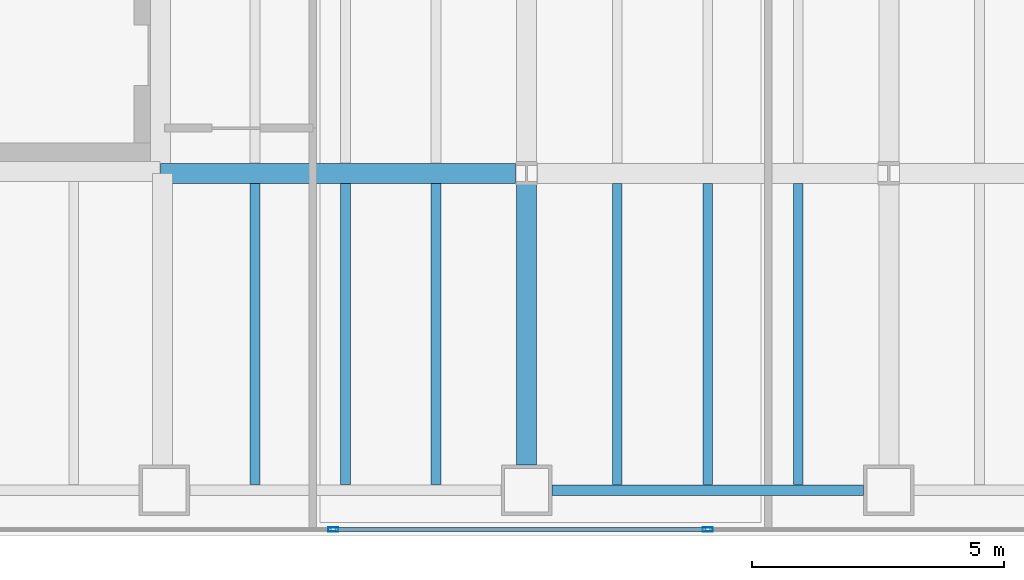
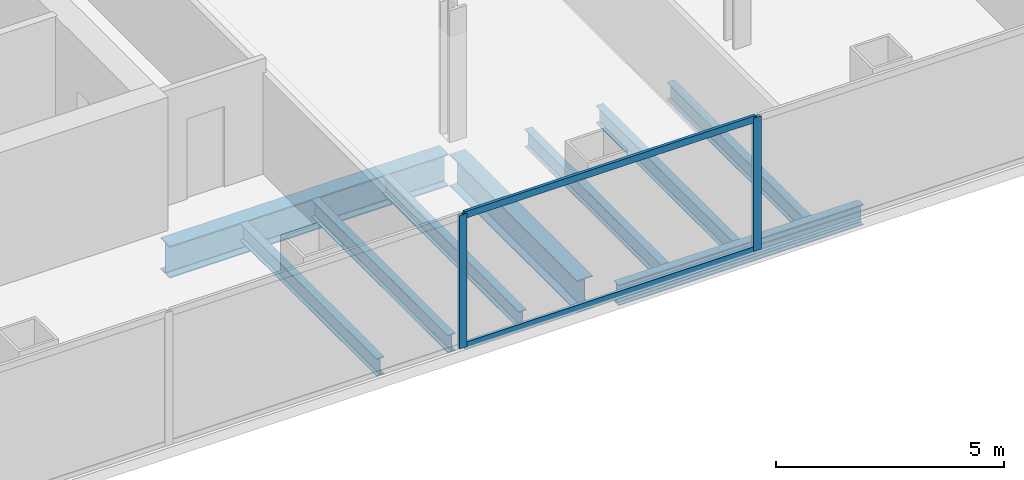
# One storey, part 4 of 24: 9 beams, 4 members, 1 element without a shape of its own.
"""IFC4 building model written with IfcOpenShell, lengths in metres."""

from ifc_helpers import new_model, si_unit, direction, frame, origin, origin_2d, place, context, subcontext, project, spatial, hollow_rectangle, i_section, extrude, material, material_profile, profile_set, type_object, element, aggregate, save


model = new_model("IFC4")

# Units and contexts
model_context = context("Model", 3, precision=1e-05, world=origin(), true_north=direction((0.0, 1.0)))
body_context = subcontext(model_context, "Body", "Model", "MODEL_VIEW")
ifc_project = project(units=[si_unit("LENGTHUNIT", "METRE"), si_unit("AREAUNIT", "SQUARE_METRE"), si_unit("VOLUMEUNIT", "CUBIC_METRE"), si_unit("PLANEANGLEUNIT", "RADIAN"), si_unit("MASSUNIT", "GRAM", prefix="KILO")], contexts=[model_context])

# Site, building, storey
site_placement = place(None, origin())
site = spatial("IfcSite", under=ifc_project, at=site_placement, CompositionType="ELEMENT")
building_placement = place(site_placement, origin())
building = spatial("IfcBuilding", under=site, at=building_placement, Name="Cobrela Telecom Tower", CompositionType="ELEMENT")
storey_placement = place(building_placement, frame((0.0, 0.0, 69.64990234375)))
storey = spatial("IfcBuildingStorey", under=building, at=storey_placement, Name="L17", CompositionType="ELEMENT", Elevation=69.64990234375)

# Beams
ifc_material_1 = material(Name="Steel ASTM A992 Grade 50", Category="steel")
ifc_material_profile_1 = material_profile(ifc_material_1, i_section(OverallWidth=0.39892578125, OverallDepth=0.85595703125, WebThickness=0.018310546875, FlangeThickness=0.029296875, FilletRadius=0.02001953125, at=origin_2d()), Name="W33X201")
ifc_profile_set_1 = profile_set([ifc_material_profile_1], Name="Steel ASTM A992 Grade 50")
beam_type_1 = type_object("IfcBeamType", Name="BM-GIRD-03", PredefinedType="USERDEFINED", material=ifc_profile_set_1)
beam_1_placement = place(storey_placement, frame((14.324951171875, 7.199951171875, -0.7080078125), z_axis=(1.0, 0.0, 0.0), x_axis=(0.0, 1.0, 0.0)))
element("IfcBeam", 1, at=beam_1_placement, inside=storey, type_object=beam_type_1, Name="L17 Primary Girder X08", ObjectType="GIRDER", PredefinedType="USERDEFINED", context=body_context, shape_type="SweptSolid", body=[
    extrude(i_section(OverallWidth=0.39892578125, OverallDepth=0.85595703125, WebThickness=0.018310546875, FlangeThickness=0.029296875, FilletRadius=0.02001953125, at=origin_2d()), origin(), (0.0, 0.0, 1.0), 7.05908203125),
])
beam_2_placement = place(storey_placement, frame((21.60009765625, 1.405029296875, -0.7080078125), z_axis=(0.0, 1.0, 0.0), x_axis=(-1.0, 0.0, 0.0)))
element("IfcBeam", 2, at=beam_2_placement, inside=storey, type_object=beam_type_1, Name="L17 Primary Girder Y40", ObjectType="GIRDER", PredefinedType="USERDEFINED", context=body_context, shape_type="SweptSolid", body=[
    extrude(i_section(OverallWidth=0.39892578125, OverallDepth=0.85595703125, WebThickness=0.018310546875, FlangeThickness=0.029296875, FilletRadius=0.02001953125, at=origin_2d()), origin(), (0.0, 0.0, 1.0), 5.578857421875),
])
ifc_material_profile_2 = material_profile(ifc_material_1, i_section(OverallWidth=0.193115234375, OverallDepth=0.467041015625, WebThickness=0.011474609375, FlangeThickness=0.01904296875, FilletRadius=0.012939453125, at=origin_2d()), Name="W18X65")
ifc_profile_set_2 = profile_set([ifc_material_profile_2], Name="Steel ASTM A992 Grade 50")
beam_type_2 = type_object("IfcBeamType", Name="BM-JOIST-03", PredefinedType="JOIST", material=ifc_profile_set_2)
for number, where, z_axis, x_axis, name in (
    (3, (16.199951171875, 1.011474609375, -0.513427734375), (0.0, 1.0, 0.0), (-1.0, 0.0, 0.0), "L17 Secondary Composite Floor Beam J07"),
    (4, (18.0, 1.011474609375, -0.513427734375), (0.0, 1.0, 0.0), (-1.0, 0.0, 0.0), "L17 Secondary Composite Floor Beam J13"),
    (5, (19.800048828125, 1.011474609375, -0.513427734375), (0.0, 1.0, 0.0), (-1.0, 0.0, 0.0), "L17 Secondary Composite Floor Beam J19"),
    (6, (23.39990234375, 1.011474609375, -0.513427734375), (0.0, 1.0, 0.0), (-1.0, 0.0, 0.0), "L17 Secondary Composite Floor Beam J25"),
    (7, (25.199951171875, 1.011474609375, -0.513427734375), (0.0, 1.0, 0.0), (-1.0, 0.0, 0.0), "L17 Secondary Composite Floor Beam J31"),
    (8, (27.0, 1.011474609375, -0.513427734375), (0.0, 1.0, 0.0), (-1.0, 0.0, 0.0), "L17 Secondary Composite Floor Beam J36"),
):
    element("IfcBeam", number, at=place(storey_placement, frame(where, z_axis=z_axis, x_axis=x_axis)), inside=storey, type_object=beam_type_2, Name=name, PredefinedType="JOIST", context=body_context, shape_type="SweptSolid", body=[
        extrude(i_section(OverallWidth=0.193115234375, OverallDepth=0.467041015625, WebThickness=0.011474609375, FlangeThickness=0.01904296875, FilletRadius=0.012939453125, at=origin_2d()), origin(), (0.0, 0.0, 1.0), 5.984130859375),
    ])
ifc_material_profile_3 = material_profile(ifc_material_1, i_section(OverallWidth=0.212890625, OverallDepth=0.549072265625, WebThickness=0.0146484375, FlangeThickness=0.023681640625, FilletRadius=0.013916015625, at=origin_2d()), Name="W21X93")
ifc_profile_set_3 = profile_set([ifc_material_profile_3], Name="Steel ASTM A992 Grade 50")
beam_type_3 = type_object("IfcBeamType", Name="BM-SPAND-03", PredefinedType="SPANDREL", material=ifc_profile_set_3)
beam_3_placement = place(storey_placement, frame((22.10498046875, 0.89990234375, -0.554443359375), z_axis=(1.0, 0.0, 0.0), x_axis=(0.0, 1.0, 0.0)))
element("IfcBeam", 9, at=beam_3_placement, inside=storey, type_object=beam_type_3, Name="L17 Perimeter Spandrel X03", PredefinedType="SPANDREL", context=body_context, shape_type="SweptSolid", body=[
    extrude(i_section(OverallWidth=0.212890625, OverallDepth=0.549072265625, WebThickness=0.0146484375, FlangeThickness=0.023681640625, FilletRadius=0.013916015625, at=origin_2d()), origin(), (0.0, 0.0, 1.0), 6.18994140625),
])

# Curtain wall, members
ifc_material_2 = material(Name="Anodized Bronze Aluminium 6063-T6", Category="aluminium")
curtain_wall_type = type_object("IfcCurtainWallType", Name="CW-SYS-DATA", PredefinedType="USERDEFINED", material=ifc_material_2)
curtain_wall_placement = place(storey_placement, origin())
curtain_wall = element("IfcCurtainWall", 10, at=curtain_wall_placement, inside=storey, type_object=curtain_wall_type, Name="L17 Unitised Bronze Curtain Wall 17", ObjectType="UNITISED CURTAIN WALL", PredefinedType="USERDEFINED")
ifc_material_profile_4 = material_profile(ifc_material_2, hollow_rectangle(XDim=0.080078125, YDim=0.199951171875, WallThickness=0.00390625, at=origin_2d()), Name="ALU 80x200x4")
ifc_profile_set_4 = profile_set([ifc_material_profile_4], Name="Anodized Bronze Aluminium 6063-T6")
member_type_1 = type_object("IfcMemberType", Name="CW-SYS-DATA-MUL", PredefinedType="MULLION", material=ifc_profile_set_4)
member_1_placement = place(storey_placement, frame((25.199951171875, 0.1201171875, 0.0), z_axis=(0.0, 0.0, 1.0), x_axis=(0.0, -1.0, 0.0)))
member_1 = element("IfcMember", 11, at=member_1_placement, type_object=member_type_1, Name="CW-DATA mullion 4", PredefinedType="MULLION", context=body_context, shape_type="SweptSolid", body=[
    extrude(hollow_rectangle(XDim=0.080078125, YDim=0.199951171875, WallThickness=0.00390625, at=origin_2d()), origin(), (0.0, 0.0, 1.0), 3.570068359375),
])
member_2_placement = place(storey_placement, frame((17.756591796875, 0.1201171875, 0.0), z_axis=(0.0, 0.0, 1.0), x_axis=(0.0, -1.0, 0.0)))
member_2 = element("IfcMember", 12, at=member_2_placement, type_object=member_type_1, Name="CW-DATA mullion 5", PredefinedType="MULLION", context=body_context, shape_type="SweptSolid", body=[
    extrude(hollow_rectangle(XDim=0.080078125, YDim=0.199951171875, WallThickness=0.00390625, at=origin_2d()), origin(), (0.0, 0.0, 1.0), 3.570068359375),
])
ifc_material_profile_5 = material_profile(ifc_material_2, hollow_rectangle(XDim=0.074951171875, YDim=0.179931640625, WallThickness=0.00390625, at=origin_2d()), Name="ALU 75x180x4")
ifc_profile_set_5 = profile_set([ifc_material_profile_5], Name="Anodized Bronze Aluminium 6063-T6")
member_type_2 = type_object("IfcMemberType", Name="CW-SYS-DATA-TRN", PredefinedType="USERDEFINED", material=ifc_profile_set_5)
member_3_placement = place(storey_placement, frame((25.159912109375, 0.1201171875, 0.03759765625), z_axis=(-1.0, 0.0, 0.0), x_axis=(0.0, -1.0, 0.0)))
member_3 = element("IfcMember", 13, at=member_3_placement, type_object=member_type_2, Name="CW-DATA transom 4.1", ObjectType="TRANSOM", PredefinedType="USERDEFINED", context=body_context, shape_type="SweptSolid", body=[
    extrude(hollow_rectangle(XDim=0.074951171875, YDim=0.179931640625, WallThickness=0.00390625, at=origin_2d()), origin(), (0.0, 0.0, 1.0), 7.36328125),
])
member_4_placement = place(storey_placement, frame((25.159912109375, 0.1201171875, 3.53271484375), z_axis=(-1.0, 0.0, 0.0), x_axis=(0.0, -1.0, 0.0)))
member_4 = element("IfcMember", 14, at=member_4_placement, type_object=member_type_2, Name="CW-DATA transom 4.2", ObjectType="TRANSOM", PredefinedType="USERDEFINED", context=body_context, shape_type="SweptSolid", body=[
    extrude(hollow_rectangle(XDim=0.074951171875, YDim=0.179931640625, WallThickness=0.00390625, at=origin_2d()), origin(), (0.0, 0.0, 1.0), 7.36328125),
])
aggregate(curtain_wall, [member_1, member_2, member_3, member_4])

save(model, "model.ifc")
